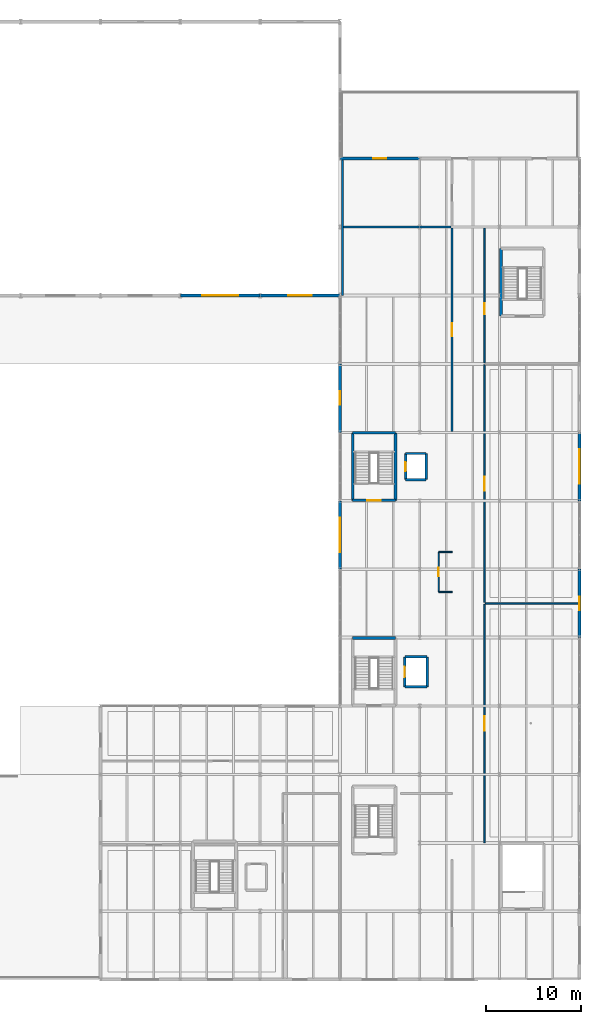
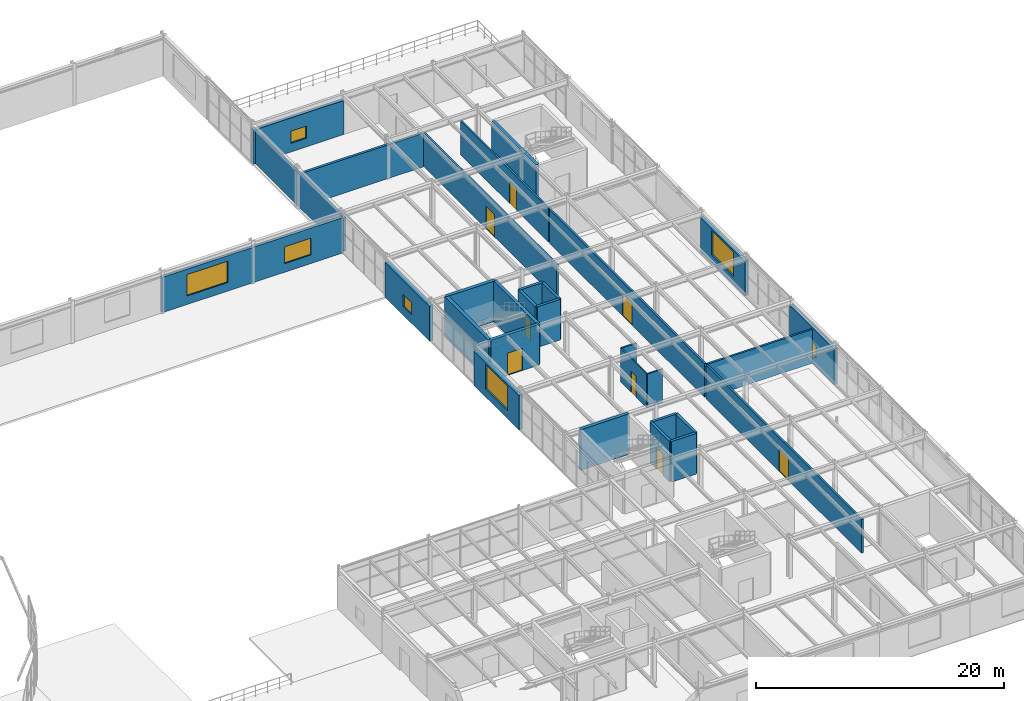
# One storey, part 66 of 73: 31 walls, 8 doors, 7 windows, 15 openings.
"""IFC4 building model written with IfcOpenShell, lengths in metres."""

from ifc_helpers import new_model, si_unit, derived_unit, direction, frame, frame_2d, origin, place, context, subcontext, project, spatial, rectangle, extrude, material, layer, layer_set, type_object, element, fill, save


model = new_model("IFC4")

# Units and contexts
model_context = context("Model", 3, precision=1e-05, world=origin(), true_north=direction((0.0, 1.0)))
body_context = subcontext(model_context, "Body", "Model", "MODEL_VIEW")
ifc_project = project(units=[si_unit("LENGTHUNIT", "METRE"), si_unit("AREAUNIT", "SQUARE_METRE"), si_unit("VOLUMEUNIT", "CUBIC_METRE"), si_unit("PLANEANGLEUNIT", "RADIAN"), si_unit("MASSUNIT", "GRAM", prefix="KILO"), derived_unit("THERMALTRANSMITTANCEUNIT", [(si_unit("MASSUNIT", "GRAM", prefix="KILO"), 1), (si_unit("TIMEUNIT", "SECOND"), -3), (si_unit("THERMODYNAMICTEMPERATUREUNIT", "KELVIN"), -1)])], contexts=[model_context])

# Site, building, storey
site_placement = place(None, origin())
site = spatial("IfcSite", under=ifc_project, at=site_placement, CompositionType="ELEMENT")
building_placement = place(site_placement, origin())
building = spatial("IfcBuilding", under=site, at=building_placement, Name="Kharveza Railside Sports Centre", CompositionType="ELEMENT")
storey_placement = place(building_placement, frame((0.0, 0.0, 8.699951171875)))
storey = spatial("IfcBuildingStorey", under=building, at=storey_placement, Name="L02", CompositionType="ELEMENT", Elevation=8.699951171875)

# Walls
ifc_material_1 = material(Name="Concrete C35/45", Category="concrete")
ifc_layer_1 = layer(ifc_material_1, 0.25, Name="Concrete C35/45")
ifc_layer_set_1 = layer_set([ifc_layer_1], Name="Concrete C35/45")
wall_type_1 = type_object("IfcWallType", Name="WL-CR250", PredefinedType="SHEAR", material=ifc_layer_set_1)
wall_1_placement = place(storey_placement, frame((149.625, 38.02490234375, 0.0), z_axis=(0.0, 0.0, 1.0), x_axis=(1.0, 0.0, 0.0)))
element("IfcWall", 1, at=wall_1_placement, inside=storey, type_object=wall_type_1, Name="WL-LFSH-LF1-L02-S", PredefinedType="SHEAR", context=body_context, shape_type="SweptSolid", body=[
    extrude(rectangle(XDim=2.35009765625, YDim=0.25, at=frame_2d((1.175048828125, 0.0))), origin(), (0.0, 0.0, 1.0), 4.0),
])
wall_2_placement = place(storey_placement, frame((151.97509765625, 38.02490234375, 0.0), z_axis=(0.0, 0.0, 1.0), x_axis=(0.0, 1.0, 0.0)))
element("IfcWall", 2, at=wall_2_placement, inside=storey, type_object=wall_type_1, Name="WL-LFSH-LF1-L02-E", PredefinedType="SHEAR", context=body_context, shape_type="SweptSolid", body=[
    extrude(rectangle(XDim=3.150146484375, YDim=0.25, at=frame_2d((1.5751953125, 0.0))), origin(), (0.0, 0.0, 1.0), 4.0),
])
wall_3_placement = place(storey_placement, frame((151.97509765625, 41.175048828125, 0.0), z_axis=(0.0, 0.0, 1.0), x_axis=(-1.0, 0.0, 0.0)))
element("IfcWall", 3, at=wall_3_placement, inside=storey, type_object=wall_type_1, Name="WL-LFSH-LF1-L02-N", PredefinedType="SHEAR", context=body_context, shape_type="SweptSolid", body=[
    extrude(rectangle(XDim=2.35009765625, YDim=0.25, at=frame_2d((1.175048828125, 0.0))), origin(), (0.0, 0.0, 1.0), 4.0),
])

# Wall, opening, door
wall_4_placement = place(storey_placement, frame((149.625, 41.175048828125, 0.0), z_axis=(0.0, 0.0, 1.0), x_axis=(0.0, -1.0, 0.0)))
wall_4 = element("IfcWall", 4, at=wall_4_placement, inside=storey, type_object=wall_type_1, Name="WL-LFSH-LF1-L02-W", PredefinedType="SHEAR", context=body_context, shape_type="SweptSolid", body=[
    extrude(rectangle(XDim=3.150146484375, YDim=0.25, at=frame_2d((1.5751953125, 0.0))), origin(), (0.0, 0.0, 1.0), 4.0),
])
opening_1_placement = place(wall_4_placement, frame((1.02490234375, 0.0, 0.0)))
opening_1 = element("IfcOpeningElement", 5, at=opening_1_placement, cuts=wall_4, Name="Opening D11", PredefinedType="OPENING", context=body_context, shape_type="SweptSolid", body=[
    extrude(rectangle(XDim=1.10009765625, YDim=2.10009765625, at=frame_2d((0.550048828125, 1.050048828125))), frame((0.0, 0.14990234375, 0.0), z_axis=(0.0, -1.0, 0.0), x_axis=(1.0, 0.0, 0.0)), (0.0, 0.0, 1.0), 0.2998046875),
])
ifc_material_2 = material(Name="Brushed stainless steel landing door", Category="steel")
door_type_1 = type_object("IfcDoorType", Name="DR-LF01", OperationType="NOTDEFINED", PredefinedType="DOOR", material=ifc_material_2)
door_1_placement = place(opening_1_placement, origin())
door_1 = element("IfcDoor", 6, at=door_1_placement, inside=storey, type_object=door_type_1, Name="DR-LD-LF1-L02", OperationType="SLIDING_TO_LEFT", OverallHeight=2.10009765625, OverallWidth=1.10009765625, PredefinedType="DOOR", context=body_context, shape_type="SweptSolid", body=[
    extrude(rectangle(XDim=1.10009765625, YDim=2.10009765625, at=frame_2d((0.550048828125, 1.050048828125))), frame((0.0, 0.02490234375, 0.0), z_axis=(0.0, -1.0, 0.0), x_axis=(1.0, 0.0, 0.0)), (0.0, 0.0, 1.0), 0.050048828125),
])
fill(opening_1, door_1)

# Walls
wall_5_placement = place(storey_placement, frame((149.72509765625, 59.824951171875, 0.0), z_axis=(0.0, 0.0, 1.0), x_axis=(1.0, 0.0, 0.0)))
element("IfcWall", 7, at=wall_5_placement, inside=storey, type_object=wall_type_1, Name="WL-LFSH-LF2-L02-S", PredefinedType="SHEAR", context=body_context, shape_type="SweptSolid", body=[
    extrude(rectangle(XDim=2.14990234375, YDim=0.25, at=frame_2d((1.074951171875, 0.0))), origin(), (0.0, 0.0, 1.0), 4.0),
])
wall_6_placement = place(storey_placement, frame((151.875, 59.824951171875, 0.0), z_axis=(0.0, 0.0, 1.0), x_axis=(0.0, 1.0, 0.0)))
element("IfcWall", 8, at=wall_6_placement, inside=storey, type_object=wall_type_1, Name="WL-LFSH-LF2-L02-E", PredefinedType="SHEAR", context=body_context, shape_type="SweptSolid", body=[
    extrude(rectangle(XDim=2.75, YDim=0.25, at=frame_2d((1.375, 0.0))), origin(), (0.0, 0.0, 1.0), 4.0),
])
wall_7_placement = place(storey_placement, frame((151.875, 62.574951171875, 0.0), z_axis=(0.0, 0.0, 1.0), x_axis=(-1.0, 0.0, 0.0)))
element("IfcWall", 9, at=wall_7_placement, inside=storey, type_object=wall_type_1, Name="WL-LFSH-LF2-L02-N", PredefinedType="SHEAR", context=body_context, shape_type="SweptSolid", body=[
    extrude(rectangle(XDim=2.14990234375, YDim=0.25, at=frame_2d((1.074951171875, 0.0))), origin(), (0.0, 0.0, 1.0), 4.0),
])

# Wall, opening, door
wall_8_placement = place(storey_placement, frame((149.72509765625, 62.574951171875, 0.0), z_axis=(0.0, 0.0, 1.0), x_axis=(0.0, -1.0, 0.0)))
wall_8 = element("IfcWall", 10, at=wall_8_placement, inside=storey, type_object=wall_type_1, Name="WL-LFSH-LF2-L02-W", PredefinedType="SHEAR", context=body_context, shape_type="SweptSolid", body=[
    extrude(rectangle(XDim=2.75, YDim=0.25, at=frame_2d((1.375, 0.0))), origin(), (0.0, 0.0, 1.0), 4.0),
])
opening_2_placement = place(wall_8_placement, frame((0.89990234375, 0.0, 0.0)))
opening_2 = element("IfcOpeningElement", 11, at=opening_2_placement, cuts=wall_8, Name="Opening D12", PredefinedType="OPENING", context=body_context, shape_type="SweptSolid", body=[
    extrude(rectangle(XDim=0.949951171875, YDim=2.10009765625, at=frame_2d((0.47509765625, 1.050048828125))), frame((0.0, 0.14990234375, 0.0), z_axis=(0.0, -1.0, 0.0), x_axis=(1.0, 0.0, 0.0)), (0.0, 0.0, 1.0), 0.2998046875),
])
door_type_2 = type_object("IfcDoorType", Name="DR-LF02", OperationType="NOTDEFINED", PredefinedType="DOOR", material=ifc_material_2)
door_2_placement = place(opening_2_placement, origin())
door_2 = element("IfcDoor", 12, at=door_2_placement, inside=storey, type_object=door_type_2, Name="DR-LD-LF2-L02", OperationType="SLIDING_TO_LEFT", OverallHeight=2.10009765625, OverallWidth=0.949951171875, PredefinedType="DOOR", context=body_context, shape_type="SweptSolid", body=[
    extrude(rectangle(XDim=0.949951171875, YDim=2.10009765625, at=frame_2d((0.47509765625, 1.050048828125))), frame((0.0, 0.02490234375, 0.0), z_axis=(0.0, -1.0, 0.0), x_axis=(1.0, 0.0, 0.0)), (0.0, 0.0, 1.0), 0.050048828125),
])
fill(opening_2, door_2)

# Wall
ifc_layer_2 = layer(ifc_material_1, 0.300048828125, Name="Concrete C35/45")
ifc_layer_set_2 = layer_set([ifc_layer_2], Name="Concrete C35/45")
wall_type_2 = type_object("IfcWallType", Name="WL-CR300", PredefinedType="SHEAR", material=ifc_layer_set_2)
wall_9_placement = place(storey_placement, frame((148.64990234375, 43.14990234375, 0.0), z_axis=(0.0, 0.0, 1.0), x_axis=(-1.0, 0.0, 0.0)))
element("IfcWall", 13, at=wall_9_placement, inside=storey, type_object=wall_type_2, Name="WL-CORE-ST1-L02-N", PredefinedType="SHEAR", context=body_context, shape_type="SweptSolid", body=[
    extrude(rectangle(XDim=4.5, YDim=0.300048828125, at=frame_2d((2.25, 0.0))), origin(), (0.0, 0.0, 1.0), 4.0),
])

# Wall, opening, door
wall_10_placement = place(storey_placement, frame((144.14990234375, 57.64990234375, 0.0), z_axis=(0.0, 0.0, 1.0), x_axis=(1.0, 0.0, 0.0)))
wall_10 = element("IfcWall", 14, at=wall_10_placement, inside=storey, type_object=wall_type_2, Name="WL-CORE-ST2-L02-S", PredefinedType="SHEAR", context=body_context, shape_type="SweptSolid", body=[
    extrude(rectangle(XDim=4.5, YDim=0.300048828125, at=frame_2d((2.25, 0.0))), origin(), (0.0, 0.0, 1.0), 4.0),
])
opening_3_placement = place(wall_10_placement, frame((1.550048828125, 0.0, 0.0)))
opening_3 = element("IfcOpeningElement", 15, at=opening_3_placement, cuts=wall_10, Name="Opening D09", PredefinedType="OPENING", context=body_context, shape_type="SweptSolid", body=[
    extrude(rectangle(XDim=1.39990234375, YDim=2.199951171875, at=frame_2d((0.699951171875, 1.10009765625))), frame((0.0, 0.1748046875, 0.0), z_axis=(0.0, -1.0, 0.0), x_axis=(1.0, 0.0, 0.0)), (0.0, 0.0, 1.0), 0.349853515625),
])
ifc_material_3 = material(Name="Fire-rated hardwood door leaf", Category="wood")
door_type_3 = type_object("IfcDoorType", Name="DR-ST02", OperationType="NOTDEFINED", PredefinedType="DOOR", material=ifc_material_3)
door_3_placement = place(opening_3_placement, frame((1.39990234375, 0.0, 0.0), z_axis=(0.0, 0.0, 1.0), x_axis=(-1.0, 0.0, 0.0)))
door_3 = element("IfcDoor", 16, at=door_3_placement, inside=storey, type_object=door_type_3, Name="DR-ST-ST2-L02", OperationType="SINGLE_SWING_LEFT", OverallHeight=2.199951171875, OverallWidth=1.39990234375, PredefinedType="DOOR", context=body_context, shape_type="SweptSolid", body=[
    extrude(rectangle(XDim=1.39990234375, YDim=2.199951171875, at=frame_2d((0.699951171875, 1.10009765625))), frame((0.0, 0.02490234375, 0.0), z_axis=(0.0, -1.0, 0.0), x_axis=(1.0, 0.0, 0.0)), (0.0, 0.0, 1.0), 0.050048828125),
])
fill(opening_3, door_3)

# Walls
wall_11_placement = place(storey_placement, frame((148.64990234375, 57.64990234375, 0.0), z_axis=(0.0, 0.0, 1.0), x_axis=(0.0, 1.0, 0.0)))
element("IfcWall", 17, at=wall_11_placement, inside=storey, type_object=wall_type_2, Name="WL-CORE-ST2-L02-E", PredefinedType="SHEAR", context=body_context, shape_type="SweptSolid", body=[
    extrude(rectangle(XDim=7.10009765625, YDim=0.300048828125, at=frame_2d((3.550048828125, 0.0))), origin(), (0.0, 0.0, 1.0), 4.0),
])
wall_12_placement = place(storey_placement, frame((148.64990234375, 64.75, 0.0), z_axis=(0.0, 0.0, 1.0), x_axis=(-1.0, 0.0, 0.0)))
element("IfcWall", 18, at=wall_12_placement, inside=storey, type_object=wall_type_2, Name="WL-CORE-ST2-L02-N", PredefinedType="SHEAR", context=body_context, shape_type="SweptSolid", body=[
    extrude(rectangle(XDim=4.5, YDim=0.300048828125, at=frame_2d((2.25, 0.0))), origin(), (0.0, 0.0, 1.0), 4.0),
])
wall_13_placement = place(storey_placement, frame((144.14990234375, 64.75, 0.0), z_axis=(0.0, 0.0, 1.0), x_axis=(0.0, -1.0, 0.0)))
element("IfcWall", 19, at=wall_13_placement, inside=storey, type_object=wall_type_2, Name="WL-CORE-ST2-L02-W", PredefinedType="SHEAR", context=body_context, shape_type="SweptSolid", body=[
    extrude(rectangle(XDim=7.10009765625, YDim=0.300048828125, at=frame_2d((3.550048828125, 0.0))), origin(), (0.0, 0.0, 1.0), 4.0),
])
wall_14_placement = place(storey_placement, frame((159.75, 84.14990234375, 0.0), z_axis=(0.0, 0.0, 1.0), x_axis=(0.0, -1.0, 0.0)))
element("IfcWall", 20, at=wall_14_placement, inside=storey, type_object=wall_type_2, Name="WL-CORE-ST4-L02-W", PredefinedType="SHEAR", context=body_context, shape_type="SweptSolid", body=[
    extrude(rectangle(XDim=7.099853515625, YDim=0.300048828125, at=frame_2d((3.5498046875, 0.0))), origin(), (0.0, 0.0, 1.0), 4.0),
])

# Wall, opening, window
ifc_material_4 = material(Name="Acoustic mineral-wool metal cladding panel")
ifc_layer_3 = layer(ifc_material_4, 0.2900390625, Name="Acoustic mineral-wool metal cladding panel")
ifc_layer_set_3 = layer_set([ifc_layer_3], Name="Acoustic mineral-wool metal cladding panel")
wall_type_3 = type_object("IfcWallType", Name="WL-EX290", PredefinedType="STANDARD", material=ifc_layer_set_3)
wall_15_placement = place(storey_placement, frame((126.0, 79.199951171875, 0.0), z_axis=(0.0, 0.0, 1.0), x_axis=(1.0, 0.0, 0.0)))
wall_15 = element("IfcWall", 21, at=wall_15_placement, inside=storey, type_object=wall_type_3, Name="WL-EXT-L02-195", PredefinedType="STANDARD", context=body_context, shape_type="SweptSolid", body=[
    extrude(rectangle(XDim=8.39990234375, YDim=0.2900390625, at=frame_2d((4.199951171875, 0.0))), origin(), (0.0, 0.0, 1.0), 3.485107421875),
])
opening_4_placement = place(wall_15_placement, frame((2.300048828125, 0.0, 0.85009765625)))
opening_4 = element("IfcOpeningElement", 22, at=opening_4_placement, cuts=wall_15, Name="Opening WN17", PredefinedType="OPENING", context=body_context, shape_type="SweptSolid", body=[
    extrude(rectangle(XDim=3.800048828125, YDim=2.10009765625, at=frame_2d((1.89990234375, 1.050048828125))), frame((0.0, 0.169921875, 0.0), z_axis=(0.0, -1.0, 0.0), x_axis=(1.0, 0.0, 0.0)), (0.0, 0.0, 1.0), 0.33984375),
])
ifc_material_5 = material(Name="Low-E solar-control laminated glass", Category="glass")
window_type_1 = type_object("IfcWindowType", Name="WN-Z01", PartitioningType="SINGLE_PANEL", PredefinedType="WINDOW", material=ifc_material_5)
window_1_placement = place(opening_4_placement, origin())
window_1 = element("IfcWindow", 23, at=window_1_placement, inside=storey, type_object=window_type_1, Name="WN-EXT-L02-109", OverallHeight=2.10009765625, OverallWidth=3.800048828125, PartitioningType="SINGLE_PANEL", PredefinedType="WINDOW", context=body_context, shape_type="SweptSolid", body=[
    extrude(rectangle(XDim=3.800048828125, YDim=2.10009765625, at=frame_2d((1.89990234375, 1.050048828125))), frame((0.0, 0.030029296875, 0.0), z_axis=(0.0, -1.0, 0.0), x_axis=(1.0, 0.0, 0.0)), (0.0, 0.0, 1.0), 0.06005859375),
])
fill(opening_4, window_1)

wall_16_placement = place(storey_placement, frame((134.39990234375, 79.199951171875, 0.0), z_axis=(0.0, 0.0, 1.0), x_axis=(1.0, 0.0, 0.0)))
wall_16 = element("IfcWall", 24, at=wall_16_placement, inside=storey, type_object=wall_type_3, Name="WL-EXT-L02-196", PredefinedType="STANDARD", context=body_context, shape_type="SweptSolid", body=[
    extrude(rectangle(XDim=8.400146484375, YDim=0.2900390625, at=frame_2d((4.2001953125, 0.0))), origin(), (0.0, 0.0, 1.0), 3.485107421875),
])
opening_5_placement = place(wall_16_placement, frame((2.949951171875, 0.0, 0.85009765625)))
opening_5 = element("IfcOpeningElement", 25, at=opening_5_placement, cuts=wall_16, Name="Opening WN21", PredefinedType="OPENING", context=body_context, shape_type="SweptSolid", body=[
    extrude(rectangle(XDim=2.5, YDim=1.64990234375, at=frame_2d((1.25, 0.824951171875))), frame((0.0, 0.169921875, 0.0), z_axis=(0.0, -1.0, 0.0), x_axis=(1.0, 0.0, 0.0)), (0.0, 0.0, 1.0), 0.33984375),
])
window_type_2 = type_object("IfcWindowType", Name="WN-Z05", PartitioningType="SINGLE_PANEL", PredefinedType="WINDOW", material=ifc_material_5)
window_2_placement = place(opening_5_placement, origin())
window_2 = element("IfcWindow", 26, at=window_2_placement, inside=storey, type_object=window_type_2, Name="WN-EXT-L02-110", OverallHeight=1.64990234375, OverallWidth=2.5, PartitioningType="SINGLE_PANEL", PredefinedType="WINDOW", context=body_context, shape_type="SweptSolid", body=[
    extrude(rectangle(XDim=2.5, YDim=1.64990234375, at=frame_2d((1.25, 0.824951171875))), frame((0.0, 0.030029296875, 0.0), z_axis=(0.0, -1.0, 0.0), x_axis=(1.0, 0.0, 0.0)), (0.0, 0.0, 1.0), 0.06005859375),
])
fill(opening_5, window_2)

ifc_material_6 = material(Name="Precast concrete C40/50", Category="concrete")
ifc_layer_4 = layer(ifc_material_6, 0.320068359375, Name="Precast concrete C40/50")
ifc_layer_set_4 = layer_set([ifc_layer_4], Name="Precast concrete C40/50")
wall_type_4 = type_object("IfcWallType", Name="WL-EX320", PredefinedType="STANDARD", material=ifc_layer_set_4)
wall_17_placement = place(storey_placement, frame((168.0, 43.199951171875, 0.0), z_axis=(0.0, 0.0, 1.0), x_axis=(0.0, 1.0, 0.0)))
wall_17 = element("IfcWall", 27, at=wall_17_placement, inside=storey, type_object=wall_type_4, Name="WL-EXT-L02-173", PredefinedType="STANDARD", context=body_context, shape_type="SweptSolid", body=[
    extrude(rectangle(XDim=7.199951171875, YDim=0.320068359375, at=frame_2d((3.60009765625, 0.0))), origin(), (0.0, 0.0, 1.0), 3.485107421875),
])
opening_6_placement = place(wall_17_placement, frame((2.89990234375, 0.0, 0.85009765625)))
opening_6 = element("IfcOpeningElement", 28, at=opening_6_placement, cuts=wall_17, Name="Opening WN26", PredefinedType="OPENING", context=body_context, shape_type="SweptSolid", body=[
    extrude(rectangle(XDim=1.39990234375, YDim=1.199951171875, at=frame_2d((0.699951171875, 0.60009765625))), frame((0.0, 0.18505859375, 0.0), z_axis=(0.0, -1.0, 0.0), x_axis=(1.0, 0.0, 0.0)), (0.0, 0.0, 1.0), 0.369873046875),
])
window_type_3 = type_object("IfcWindowType", Name="WN-Z10", PartitioningType="SINGLE_PANEL", PredefinedType="WINDOW", material=ifc_material_5)
window_3_placement = place(opening_6_placement, origin())
window_3 = element("IfcWindow", 29, at=window_3_placement, inside=storey, type_object=window_type_3, Name="WN-EXT-L02-096", OverallHeight=1.199951171875, OverallWidth=1.39990234375, PartitioningType="SINGLE_PANEL", PredefinedType="WINDOW", context=body_context, shape_type="SweptSolid", body=[
    extrude(rectangle(XDim=1.39990234375, YDim=1.199951171875, at=frame_2d((0.699951171875, 0.60009765625))), frame((0.0, 0.030029296875, 0.0), z_axis=(0.0, -1.0, 0.0), x_axis=(1.0, 0.0, 0.0)), (0.0, 0.0, 1.0), 0.06005859375),
])
fill(opening_6, window_3)

wall_18_placement = place(storey_placement, frame((168.0, 57.60009765625, 0.0), z_axis=(0.0, 0.0, 1.0), x_axis=(0.0, 1.0, 0.0)))
wall_18 = element("IfcWall", 30, at=wall_18_placement, inside=storey, type_object=wall_type_4, Name="WL-EXT-L02-174", PredefinedType="STANDARD", context=body_context, shape_type="SweptSolid", body=[
    extrude(rectangle(XDim=7.199951171875, YDim=0.320068359375, at=frame_2d((3.60009765625, 0.0))), origin(), (0.0, 0.0, 1.0), 3.385009765625),
])
opening_7_placement = place(wall_18_placement, frame((1.800048828125, 0.0, 0.804931640625)))
opening_7 = element("IfcOpeningElement", 31, at=opening_7_placement, cuts=wall_18, Name="Opening WN01", PredefinedType="OPENING", context=body_context, shape_type="SweptSolid", body=[
    extrude(rectangle(XDim=3.60009765625, YDim=2.39990234375, at=frame_2d((1.800048828125, 1.199951171875))), frame((0.0, 0.18505859375, 0.0), z_axis=(0.0, -1.0, 0.0), x_axis=(1.0, 0.0, 0.0)), (0.0, 0.0, 1.0), 0.369873046875),
])
window_type_4 = type_object("IfcWindowType", Name="WN-F01", PartitioningType="SINGLE_PANEL", PredefinedType="WINDOW", material=ifc_material_5)
window_4_placement = place(opening_7_placement, origin())
window_4 = element("IfcWindow", 32, at=window_4_placement, inside=storey, type_object=window_type_4, Name="WN-EXT-L02-097", OverallHeight=2.39990234375, OverallWidth=3.60009765625, PartitioningType="SINGLE_PANEL", PredefinedType="WINDOW", context=body_context, shape_type="SweptSolid", body=[
    extrude(rectangle(XDim=3.60009765625, YDim=2.39990234375, at=frame_2d((1.800048828125, 1.199951171875))), frame((0.0, 0.030029296875, 0.0), z_axis=(0.0, -1.0, 0.0), x_axis=(1.0, 0.0, 0.0)), (0.0, 0.0, 1.0), 0.06005859375),
])
fill(opening_7, window_4)

wall_19_placement = place(storey_placement, frame((151.199951171875, 93.60009765625, 0.0), z_axis=(0.0, 0.0, 1.0), x_axis=(-1.0, 0.0, 0.0)))
wall_19 = element("IfcWall", 33, at=wall_19_placement, inside=storey, type_object=wall_type_4, Name="WL-EXT-L02-179", PredefinedType="STANDARD", context=body_context, shape_type="SweptSolid", body=[
    extrude(rectangle(XDim=8.39990234375, YDim=0.320068359375, at=frame_2d((4.199951171875, 0.0))), origin(), (0.0, 0.0, 1.0), 3.35498046875),
])
opening_8_placement = place(wall_19_placement, frame((3.5, 0.0, 0.85009765625)))
opening_8 = element("IfcOpeningElement", 34, at=opening_8_placement, cuts=wall_19, Name="Opening WN26", PredefinedType="OPENING", context=body_context, shape_type="SweptSolid", body=[
    extrude(rectangle(XDim=1.39990234375, YDim=1.199951171875, at=frame_2d((0.699951171875, 0.60009765625))), frame((0.0, 0.18505859375, 0.0), z_axis=(0.0, -1.0, 0.0), x_axis=(1.0, 0.0, 0.0)), (0.0, 0.0, 1.0), 0.369873046875),
])
window_5_placement = place(opening_8_placement, origin())
window_5 = element("IfcWindow", 35, at=window_5_placement, inside=storey, type_object=window_type_3, Name="WN-EXT-L02-099", OverallHeight=1.199951171875, OverallWidth=1.39990234375, PartitioningType="SINGLE_PANEL", PredefinedType="WINDOW", context=body_context, shape_type="SweptSolid", body=[
    extrude(rectangle(XDim=1.39990234375, YDim=1.199951171875, at=frame_2d((0.699951171875, 0.60009765625))), frame((0.0, 0.030029296875, 0.0), z_axis=(0.0, -1.0, 0.0), x_axis=(1.0, 0.0, 0.0)), (0.0, 0.0, 1.0), 0.06005859375),
])
fill(opening_8, window_5)

wall_20_placement = place(storey_placement, frame((142.800048828125, 72.0, 0.0), z_axis=(0.0, 0.0, 1.0), x_axis=(0.0, -1.0, 0.0)))
wall_20 = element("IfcWall", 36, at=wall_20_placement, inside=storey, type_object=wall_type_4, Name="WL-EXT-L02-197", PredefinedType="STANDARD", context=body_context, shape_type="SweptSolid", body=[
    extrude(rectangle(XDim=7.199951171875, YDim=0.320068359375, at=frame_2d((3.60009765625, 0.0))), origin(), (0.0, 0.0, 1.0), 3.43505859375),
])
opening_9_placement = place(wall_20_placement, frame((2.89990234375, 0.0, 0.85009765625)))
opening_9 = element("IfcOpeningElement", 37, at=opening_9_placement, cuts=wall_20, Name="Opening WN26", PredefinedType="OPENING", context=body_context, shape_type="SweptSolid", body=[
    extrude(rectangle(XDim=1.39990234375, YDim=1.199951171875, at=frame_2d((0.699951171875, 0.60009765625))), frame((0.0, 0.18505859375, 0.0), z_axis=(0.0, -1.0, 0.0), x_axis=(1.0, 0.0, 0.0)), (0.0, 0.0, 1.0), 0.369873046875),
])
window_6_placement = place(opening_9_placement, origin())
window_6 = element("IfcWindow", 38, at=window_6_placement, inside=storey, type_object=window_type_3, Name="WN-EXT-L02-111", OverallHeight=1.199951171875, OverallWidth=1.39990234375, PartitioningType="SINGLE_PANEL", PredefinedType="WINDOW", context=body_context, shape_type="SweptSolid", body=[
    extrude(rectangle(XDim=1.39990234375, YDim=1.199951171875, at=frame_2d((0.699951171875, 0.60009765625))), frame((0.0, 0.030029296875, 0.0), z_axis=(0.0, -1.0, 0.0), x_axis=(1.0, 0.0, 0.0)), (0.0, 0.0, 1.0), 0.06005859375),
])
fill(opening_9, window_6)

wall_21_placement = place(storey_placement, frame((142.800048828125, 57.60009765625, 0.0), z_axis=(0.0, 0.0, 1.0), x_axis=(0.0, -1.0, 0.0)))
wall_21 = element("IfcWall", 39, at=wall_21_placement, inside=storey, type_object=wall_type_4, Name="WL-EXT-L02-198", PredefinedType="STANDARD", context=body_context, shape_type="SweptSolid", body=[
    extrude(rectangle(XDim=7.2001953125, YDim=0.320068359375, at=frame_2d((3.60009765625, 0.0))), origin(), (0.0, 0.0, 1.0), 3.385009765625),
])
opening_10_placement = place(wall_21_placement, frame((1.800048828125, 0.0, 0.804931640625)))
opening_10 = element("IfcOpeningElement", 40, at=opening_10_placement, cuts=wall_21, Name="Opening WN01", PredefinedType="OPENING", context=body_context, shape_type="SweptSolid", body=[
    extrude(rectangle(XDim=3.60009765625, YDim=2.39990234375, at=frame_2d((1.800048828125, 1.199951171875))), frame((0.0, 0.18505859375, 0.0), z_axis=(0.0, -1.0, 0.0), x_axis=(1.0, 0.0, 0.0)), (0.0, 0.0, 1.0), 0.369873046875),
])
window_7_placement = place(opening_10_placement, origin())
window_7 = element("IfcWindow", 41, at=window_7_placement, inside=storey, type_object=window_type_4, Name="WN-EXT-L02-112", OverallHeight=2.39990234375, OverallWidth=3.60009765625, PartitioningType="SINGLE_PANEL", PredefinedType="WINDOW", context=body_context, shape_type="SweptSolid", body=[
    extrude(rectangle(XDim=3.60009765625, YDim=2.39990234375, at=frame_2d((1.800048828125, 1.199951171875))), frame((0.0, 0.030029296875, 0.0), z_axis=(0.0, -1.0, 0.0), x_axis=(1.0, 0.0, 0.0)), (0.0, 0.0, 1.0), 0.06005859375),
])
fill(opening_10, window_7)

# Wall, opening, door
ifc_layer_5 = layer(ifc_material_1, 0.1298828125, Name="Concrete C35/45")
ifc_layer_set_5 = layer_set([ifc_layer_5], Name="Concrete C35/45")
wall_type_5 = type_object("IfcWallType", Name="WL-PT130", PredefinedType="PARTITIONING", material=ifc_layer_set_5)
wall_22_placement = place(storey_placement, frame((153.199951171875, 48.0, 0.0), z_axis=(0.0, 0.0, 1.0), x_axis=(0.0, 1.0, 0.0)))
wall_22 = element("IfcWall", 42, at=wall_22_placement, inside=storey, type_object=wall_type_5, Name="WL-INT-L02-093", PredefinedType="PARTITIONING", context=body_context, shape_type="SweptSolid", body=[
    extrude(rectangle(XDim=4.199951171875, YDim=0.1298828125, at=frame_2d((2.10009765625, 0.0))), origin(), (0.0, 0.0, 1.0), 3.320068359375),
])
opening_11_placement = place(wall_22_placement, frame((1.675048828125, 0.0, 0.0)))
opening_11 = element("IfcOpeningElement", 43, at=opening_11_placement, cuts=wall_22, Name="Opening D23", PredefinedType="OPENING", context=body_context, shape_type="SweptSolid", body=[
    extrude(rectangle(XDim=0.85009765625, YDim=2.050048828125, at=frame_2d((0.425048828125, 1.02490234375))), frame((0.0, 0.08984375, 0.0), z_axis=(0.0, -1.0, 0.0), x_axis=(1.0, 0.0, 0.0)), (0.0, 0.0, 1.0), 0.1796875),
])
door_type_4 = type_object("IfcDoorType", Name="DR-TP01", OperationType="NOTDEFINED", PredefinedType="TRAPDOOR", material=ifc_material_3)
door_4_placement = place(opening_11_placement, origin())
door_4 = element("IfcDoor", 44, at=door_4_placement, inside=storey, type_object=door_type_4, Name="DR-INT-L02-052", OperationType="SINGLE_SWING_LEFT", OverallHeight=2.050048828125, OverallWidth=0.85009765625, PredefinedType="TRAPDOOR", context=body_context, shape_type="SweptSolid", body=[
    extrude(rectangle(XDim=0.85009765625, YDim=2.050048828125, at=frame_2d((0.425048828125, 1.02490234375))), frame((0.0, 0.02490234375, 0.0), z_axis=(0.0, -1.0, 0.0), x_axis=(1.0, 0.0, 0.0)), (0.0, 0.0, 1.0), 0.050048828125),
])
fill(opening_11, door_4)

# Walls
for number, where, z_axis, x_axis, name in (
    (45, (153.199951171875, 52.199951171875, 0.0), (0.0, 0.0, 1.0), (1.0, 0.0, 0.0), "WL-INT-L02-094"),
    (46, (153.199951171875, 48.0, 0.0), (0.0, 0.0, 1.0), (1.0, 0.0, 0.0), "WL-INT-L02-095"),
):
    element("IfcWall", number, at=place(storey_placement, frame(where, z_axis=z_axis, x_axis=x_axis)), inside=storey, type_object=wall_type_5, Name=name, PredefinedType="PARTITIONING", context=body_context, shape_type="SweptSolid", body=[
        extrude(rectangle(XDim=1.400146484375, YDim=0.1298828125, at=frame_2d((0.7001953125, 0.0))), origin(), (0.0, 0.0, 1.0), 3.320068359375),
    ])

# Wall, opening, door
ifc_layer_6 = layer(ifc_material_1, 0.159912109375, Name="Concrete C35/45")
ifc_layer_set_6 = layer_set([ifc_layer_6], Name="Concrete C35/45")
wall_type_6 = type_object("IfcWallType", Name="WL-PT160", PredefinedType="PARTITIONING", material=ifc_layer_set_6)
wall_23_placement = place(storey_placement, frame((158.0, 72.10009765625, 0.0), z_axis=(0.0, 0.0, 1.0), x_axis=(0.0, 1.0, 0.0)))
wall_23 = element("IfcWall", 47, at=wall_23_placement, inside=storey, type_object=wall_type_6, Name="WL-INT-L02-089", PredefinedType="PARTITIONING", context=body_context, shape_type="SweptSolid", body=[
    extrude(rectangle(XDim=14.199951171875, YDim=0.159912109375, at=frame_2d((7.10009765625, 0.0))), origin(), (0.0, 0.0, 1.0), 3.320068359375),
])
opening_12_placement = place(wall_23_placement, frame((5.125, 0.0, 0.0)))
opening_12 = element("IfcOpeningElement", 48, at=opening_12_placement, cuts=wall_23, Name="Opening D17", PredefinedType="OPENING", context=body_context, shape_type="SweptSolid", body=[
    extrude(rectangle(XDim=1.14990234375, YDim=2.14990234375, at=frame_2d((0.574951171875, 1.074951171875))), frame((0.0, 0.10498046875, 0.0), z_axis=(0.0, -1.0, 0.0), x_axis=(1.0, 0.0, 0.0)), (0.0, 0.0, 1.0), 0.209716796875),
])
door_type_5 = type_object("IfcDoorType", Name="DR-IN05", OperationType="NOTDEFINED", PredefinedType="DOOR", material=ifc_material_3)
door_5_placement = place(opening_12_placement, origin())
door_5 = element("IfcDoor", 49, at=door_5_placement, inside=storey, type_object=door_type_5, Name="DR-INT-L02-050", OperationType="SINGLE_SWING_LEFT", OverallHeight=2.14990234375, OverallWidth=1.14990234375, PredefinedType="DOOR", context=body_context, shape_type="SweptSolid", body=[
    extrude(rectangle(XDim=1.14990234375, YDim=2.14990234375, at=frame_2d((0.574951171875, 1.074951171875))), frame((0.0, 0.02490234375, 0.0), z_axis=(0.0, -1.0, 0.0), x_axis=(1.0, 0.0, 0.0)), (0.0, 0.0, 1.0), 0.050048828125),
])
fill(opening_12, door_5)

ifc_material_7 = material(Name="Gypsum board acoustic stud partition")
ifc_layer_7 = layer(ifc_material_7, 0.175048828125, Name="Gypsum board acoustic stud partition")
ifc_layer_set_7 = layer_set([ifc_layer_7], Name="Gypsum board acoustic stud partition")
wall_type_7 = type_object("IfcWallType", Name="WL-PT175", PredefinedType="PARTITIONING", material=ifc_layer_set_7)
wall_24_placement = place(storey_placement, frame((158.0, 21.60009765625, 0.0), z_axis=(0.0, 0.0, 1.0), x_axis=(0.0, 1.0, 0.0)))
wall_24 = element("IfcWall", 50, at=wall_24_placement, inside=storey, type_object=wall_type_7, Name="WL-INT-L02-085", PredefinedType="PARTITIONING", context=body_context, shape_type="SweptSolid", body=[
    extrude(rectangle(XDim=25.099853515625, YDim=0.175048828125, at=frame_2d((12.5498046875, 0.0))), origin(), (0.0, 0.0, 1.0), 3.320068359375),
])
opening_13_placement = place(wall_24_placement, frame((11.800048828125, 0.0, 0.0)))
opening_13 = element("IfcOpeningElement", 51, at=opening_13_placement, cuts=wall_24, Name="Opening D15", PredefinedType="OPENING", context=body_context, shape_type="SweptSolid", body=[
    extrude(rectangle(XDim=1.5, YDim=2.199951171875, at=frame_2d((0.75, 1.10009765625))), frame((0.0, 0.1123046875, 0.0), z_axis=(0.0, -1.0, 0.0), x_axis=(1.0, 0.0, 0.0)), (0.0, 0.0, 1.0), 0.224853515625),
])
door_type_6 = type_object("IfcDoorType", Name="DR-IN03", OperationType="NOTDEFINED", PredefinedType="DOOR", material=ifc_material_3)
door_6_placement = place(opening_13_placement, origin())
door_6 = element("IfcDoor", 52, at=door_6_placement, inside=storey, type_object=door_type_6, Name="DR-INT-L02-047", OperationType="DOUBLE_DOOR_SINGLE_SWING", OverallHeight=2.199951171875, OverallWidth=1.5, PredefinedType="DOOR", context=body_context, shape_type="SweptSolid", body=[
    extrude(rectangle(XDim=1.5, YDim=2.199951171875, at=frame_2d((0.75, 1.10009765625))), frame((0.0, 0.02490234375, 0.0), z_axis=(0.0, -1.0, 0.0), x_axis=(1.0, 0.0, 0.0)), (0.0, 0.0, 1.0), 0.050048828125),
])
fill(opening_13, door_6)

wall_25_placement = place(storey_placement, frame((158.0, 46.89990234375, 0.0), z_axis=(0.0, 0.0, 1.0), x_axis=(0.0, 1.0, 0.0)))
wall_25 = element("IfcWall", 53, at=wall_25_placement, inside=storey, type_object=wall_type_7, Name="WL-INT-L02-086", PredefinedType="PARTITIONING", context=body_context, shape_type="SweptSolid", body=[
    extrude(rectangle(XDim=25.0, YDim=0.175048828125, at=frame_2d((12.5, 0.0))), origin(), (0.0, 0.0, 1.0), 3.320068359375),
])
opening_14_placement = place(wall_25_placement, frame((11.75, 0.0, 0.0)))
opening_14 = element("IfcOpeningElement", 54, at=opening_14_placement, cuts=wall_25, Name="Opening D15", PredefinedType="OPENING", context=body_context, shape_type="SweptSolid", body=[
    extrude(rectangle(XDim=1.5, YDim=2.199951171875, at=frame_2d((0.75, 1.10009765625))), frame((0.0, 0.1123046875, 0.0), z_axis=(0.0, -1.0, 0.0), x_axis=(1.0, 0.0, 0.0)), (0.0, 0.0, 1.0), 0.224853515625),
])
door_7_placement = place(opening_14_placement, frame((1.5, 0.0, 0.0), z_axis=(0.0, 0.0, 1.0), x_axis=(-1.0, 0.0, 0.0)))
door_7 = element("IfcDoor", 55, at=door_7_placement, inside=storey, type_object=door_type_6, Name="DR-INT-L02-048", OperationType="DOUBLE_DOOR_SINGLE_SWING", OverallHeight=2.199951171875, OverallWidth=1.5, PredefinedType="DOOR", context=body_context, shape_type="SweptSolid", body=[
    extrude(rectangle(XDim=1.5, YDim=2.199951171875, at=frame_2d((0.75, 1.10009765625))), frame((0.0, 0.02490234375, 0.0), z_axis=(0.0, -1.0, 0.0), x_axis=(1.0, 0.0, 0.0)), (0.0, 0.0, 1.0), 0.050048828125),
])
fill(opening_14, door_7)

# Wall
wall_26_placement = place(storey_placement, frame((158.10009765625, 46.800048828125, 0.0), z_axis=(0.0, 0.0, 1.0), x_axis=(1.0, 0.0, 0.0)))
element("IfcWall", 56, at=wall_26_placement, inside=storey, type_object=wall_type_7, Name="WL-INT-L02-087", PredefinedType="PARTITIONING", context=body_context, shape_type="SweptSolid", body=[
    extrude(rectangle(XDim=9.75, YDim=0.175048828125, at=frame_2d((4.875, 0.0))), origin(), (0.0, 0.0, 1.0), 3.320068359375),
])

# Wall, opening, door
wall_27_placement = place(storey_placement, frame((154.60009765625, 64.89990234375, 0.0), z_axis=(0.0, 0.0, 1.0), x_axis=(0.0, 1.0, 0.0)))
wall_27 = element("IfcWall", 57, at=wall_27_placement, inside=storey, type_object=wall_type_7, Name="WL-INT-L02-088", PredefinedType="PARTITIONING", context=body_context, shape_type="SweptSolid", body=[
    extrude(rectangle(XDim=21.400146484375, YDim=0.175048828125, at=frame_2d((10.7001953125, 0.0))), origin(), (0.0, 0.0, 1.0), 3.320068359375),
])
opening_15_placement = place(wall_27_placement, frame((10.02490234375, 0.0, 0.0)))
opening_15 = element("IfcOpeningElement", 58, at=opening_15_placement, cuts=wall_27, Name="Opening D16", PredefinedType="OPENING", context=body_context, shape_type="SweptSolid", body=[
    extrude(rectangle(XDim=1.35009765625, YDim=2.199951171875, at=frame_2d((0.675048828125, 1.10009765625))), frame((0.0, 0.1123046875, 0.0), z_axis=(0.0, -1.0, 0.0), x_axis=(1.0, 0.0, 0.0)), (0.0, 0.0, 1.0), 0.224853515625),
])
door_type_7 = type_object("IfcDoorType", Name="DR-IN04", OperationType="NOTDEFINED", PredefinedType="DOOR", material=ifc_material_3)
door_8_placement = place(opening_15_placement, origin())
door_8 = element("IfcDoor", 59, at=door_8_placement, inside=storey, type_object=door_type_7, Name="DR-INT-L02-049", OperationType="SINGLE_SWING_RIGHT", OverallHeight=2.199951171875, OverallWidth=1.35009765625, PredefinedType="DOOR", context=body_context, shape_type="SweptSolid", body=[
    extrude(rectangle(XDim=1.35009765625, YDim=2.199951171875, at=frame_2d((0.675048828125, 1.10009765625))), frame((0.0, 0.02490234375, 0.0), z_axis=(0.0, -1.0, 0.0), x_axis=(1.0, 0.0, 0.0)), (0.0, 0.0, 1.0), 0.050048828125),
])
fill(opening_15, door_8)

# Walls
ifc_layer_8 = layer(ifc_material_1, 0.219970703125, Name="Concrete C35/45")
ifc_layer_set_8 = layer_set([ifc_layer_8], Name="Concrete C35/45")
wall_type_8 = type_object("IfcWallType", Name="WL-PT220", PredefinedType="PARTITIONING", material=ifc_layer_set_8)
wall_28_placement = place(storey_placement, frame((143.080078125, 79.199951171875, 0.0), z_axis=(0.0, 0.0, 1.0), x_axis=(0.0, 1.0, 0.0)))
element("IfcWall", 60, at=wall_28_placement, inside=storey, type_object=wall_type_8, Name="WL-INT-L02-073", PredefinedType="PARTITIONING", context=body_context, shape_type="SweptSolid", body=[
    extrude(rectangle(XDim=14.400146484375, YDim=0.219970703125, at=frame_2d((7.2001953125, 0.0))), origin(), (0.0, 0.0, 1.0), 3.320068359375),
])
wall_29_placement = place(storey_placement, frame((143.199951171875, 86.39990234375, 0.0), z_axis=(0.0, 0.0, 1.0), x_axis=(1.0, 0.0, 0.0)))
element("IfcWall", 61, at=wall_29_placement, inside=storey, type_object=wall_type_8, Name="WL-INT-L02-091", PredefinedType="PARTITIONING", context=body_context, shape_type="SweptSolid", body=[
    extrude(rectangle(XDim=11.300048828125, YDim=0.219970703125, at=frame_2d((5.64990234375, 0.0))), origin(), (0.0, 0.0, 1.0), 3.320068359375),
])

save(model, "model.ifc")
